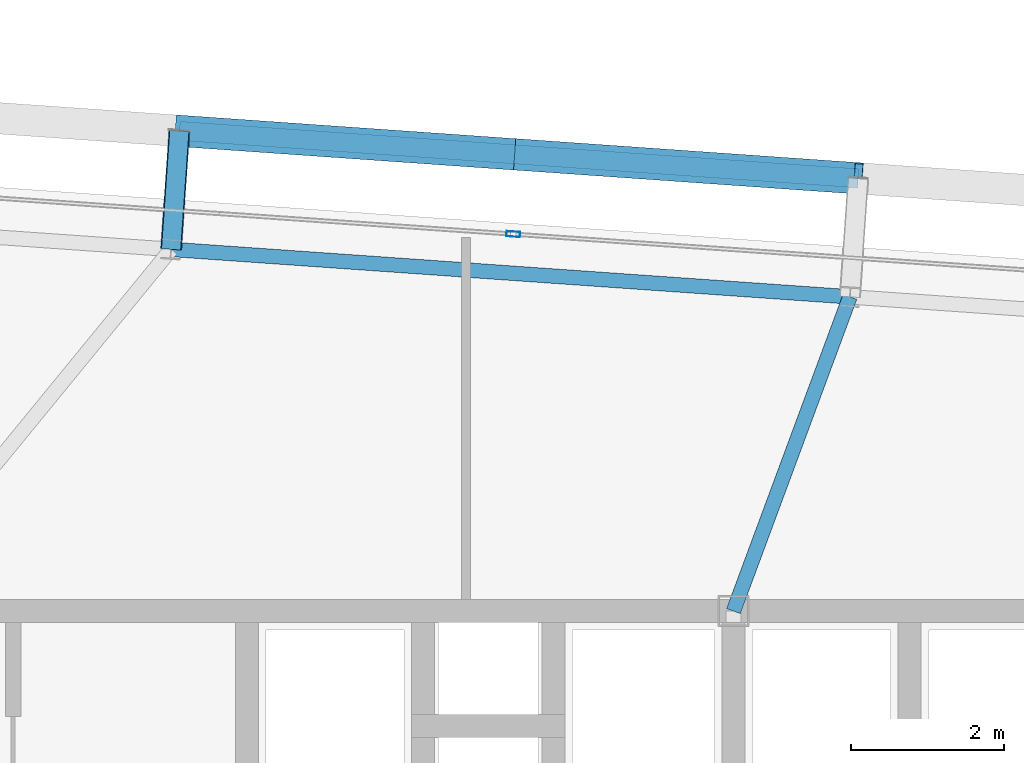
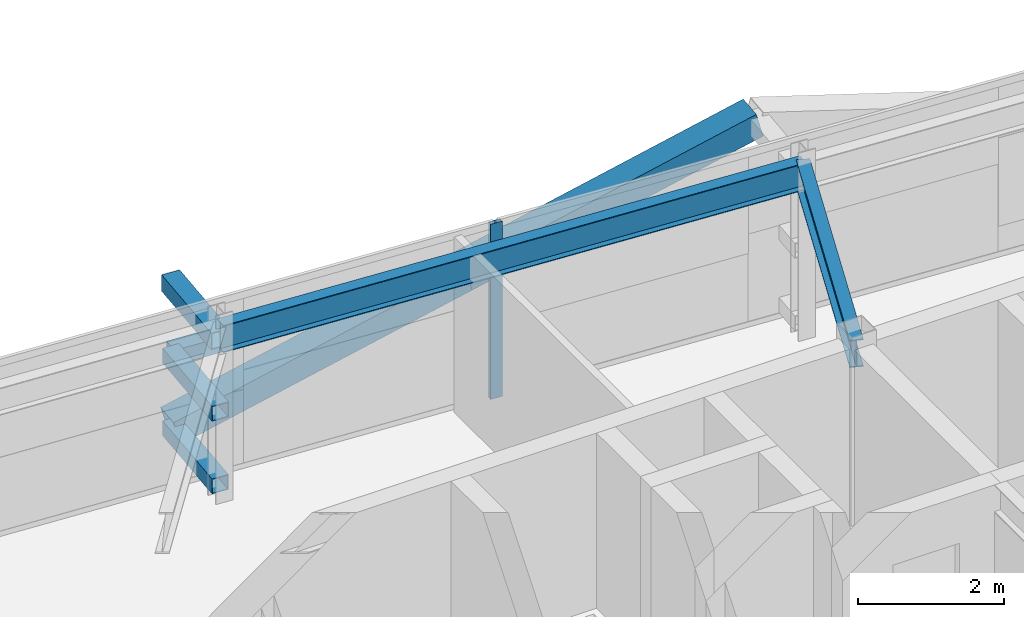
# One storey, part 22 of 39: 7 members, 2 beams, 1 element without a shape of its own.
"""IFC4 building model written with IfcOpenShell, lengths in metres."""

from ifc_helpers import new_model, si_unit, direction, frame, origin, origin_2d, place, context, subcontext, project, spatial, hollow_rectangle, i_section, extrude, source, transform, mapped, material, layer, layer_set, material_profile, profile_set, type_object, element, aggregate, save


model = new_model("IFC4")

# Units and contexts
model_context = context("Model", 3, precision=1e-05, world=origin(), true_north=direction((0.0, 1.0)))
body_context = subcontext(model_context, "Body", "Model", "MODEL_VIEW")
ifc_project = project(units=[si_unit("LENGTHUNIT", "METRE"), si_unit("AREAUNIT", "SQUARE_METRE"), si_unit("VOLUMEUNIT", "CUBIC_METRE"), si_unit("PLANEANGLEUNIT", "RADIAN"), si_unit("MASSUNIT", "GRAM", prefix="KILO")], contexts=[model_context])

# Site, building, storey
site_placement = place(None, origin())
site = spatial("IfcSite", under=ifc_project, at=site_placement, CompositionType="ELEMENT")
building_placement = place(site_placement, origin())
building = spatial("IfcBuilding", under=site, at=building_placement, Name="Taldren Reach Tower", CompositionType="ELEMENT")
storey_placement = place(building_placement, frame((0.0, 0.0, 120.39990234375)))
storey = spatial("IfcBuildingStorey", under=building, at=storey_placement, Name="L36", CompositionType="ELEMENT", Elevation=120.39990234375)

# Members
ifc_material_1 = material(Name="Steel Gr 450 (C450L0)", Category="steel")
ifc_material_profile_1 = material_profile(ifc_material_1, hollow_rectangle(XDim=0.27490234375, YDim=0.27490234375, WallThickness=0.00927734375, at=origin_2d()), Name="275x275x9.3SHS")
ifc_profile_set_1 = profile_set([ifc_material_profile_1], Name="Steel Gr 450 (C450L0)")
member_type_1 = type_object("IfcMemberType", Name="MB-TIE273", PredefinedType="STRUT", material=ifc_profile_set_1)
shared_shape_1 = source(origin(), body_context, "Body", "SweptSolid", [
    extrude(hollow_rectangle(XDim=0.27490234375, YDim=0.27490234375, WallThickness=0.00927734375, at=origin_2d()), origin(), (0.0, 0.0, 1.0), 1.5498046875),
])
member_1_placement = place(storey_placement, frame((31.861328125, 36.719970703125, 2.650146484375), z_axis=(0.069780535098, 0.997562367434, 0.0), x_axis=(-0.997562367434, 0.069780535098, 0.0)))
element("IfcMember", 1, at=member_1_placement, inside=storey, type_object=member_type_1, Name="Exoskeleton diaphragm tie strut B3-N3 L36", PredefinedType="STRUT", context=body_context, shape_type="MappedRepresentation", body=[
    mapped(shared_shape_1, transform((0.0, 0.0, 0.0), scale=1.0)),
])
ifc_material_2 = material(Name="Steel Gr 350 (C350L0)", Category="steel")
ifc_material_profile_2 = material_profile(ifc_material_2, hollow_rectangle(XDim=0.25, YDim=0.25, WallThickness=0.010009765625, at=origin_2d()), Name="250x250x10.0SHS")
ifc_profile_set_2 = profile_set([ifc_material_profile_2], Name="Steel Gr 350 (C350L0)")
member_type_2 = type_object("IfcMemberType", Name="MB-POST250", PredefinedType="POST", material=ifc_profile_set_2)
shared_shape_2 = source(origin(), body_context, "Body", "SweptSolid", [
    extrude(hollow_rectangle(XDim=0.25, YDim=0.25, WallThickness=0.010009765625, at=origin_2d()), origin(), (0.0, 0.0, 1.0), 1.5498046875),
])
for number, where, z_axis, x_axis, name in (
    (2, (31.861328125, 36.719970703125, 0.22021484375), (0.069780535098, 0.997562367434, 0.0), (-0.997562367434, 0.069780535098, 0.0), "Exoskeleton base diaphragm tie strut B3-N3 L36"),
    (3, (31.861328125, 36.719970703125, 1.43505859375), (0.069780535098, 0.997562367434, 0.0), (-0.997562367434, 0.069780535098, 0.0), "Exoskeleton mid-tier diaphragm tie B3-N3 L36"),
):
    element("IfcMember", number, at=place(storey_placement, frame(where, z_axis=z_axis, x_axis=x_axis)), inside=storey, type_object=member_type_2, Name=name, PredefinedType="POST", context=body_context, shape_type="MappedRepresentation", body=[
        mapped(shared_shape_2, transform((0.0, 0.0, 0.0), scale=1.0)),
    ])

# Beams
ifc_material_3 = material(Name="Steel Gr 350 (350PLUS)", Category="steel")
ifc_material_profile_3 = material_profile(ifc_material_3, i_section(OverallWidth=0.18994140625, OverallDepth=0.4541015625, WebThickness=0.008544921875, FlangeThickness=0.0126953125, at=origin_2d()), Name="460UB67.1")
ifc_profile_set_3 = profile_set([ifc_material_profile_3], Name="Steel Gr 350 (350PLUS)")
beam_type_1 = type_object("IfcBeamType", Name="SP-UB460B", PredefinedType="SPANDREL", material=ifc_profile_set_3)
shared_shape_3 = source(origin(), body_context, "Body", "SweptSolid", [
    extrude(i_section(OverallWidth=0.18994140625, OverallDepth=0.4541015625, WebThickness=0.008544921875, FlangeThickness=0.0126953125, at=origin_2d()), origin(), (0.0, 0.0, 1.0), 8.880126953125),
])
beam_1_placement = place(storey_placement, frame((40.7197265625, 36.100341796875, 2.703125), z_axis=(-0.997562566276, 0.06977769246, 0.0), x_axis=(-0.06977769246, -0.997562566276, 0.0)))
element("IfcBeam", 4, at=beam_1_placement, inside=storey, type_object=beam_type_1, Name="Perimeter spandrel B3 N4-N3 L36", PredefinedType="SPANDREL", context=body_context, shape_type="MappedRepresentation", body=[
    mapped(shared_shape_3, transform((0.0, 0.0, 0.0), scale=1.0)),
])
ifc_material_profile_4 = material_profile(ifc_material_3, i_section(OverallWidth=0.19091796875, OverallDepth=0.4599609375, WebThickness=0.010009765625, FlangeThickness=0.01611328125, at=origin_2d()), Name="460UB82.1")
ifc_profile_set_4 = profile_set([ifc_material_profile_4], Name="Steel Gr 350 (350PLUS)")
beam_type_2 = type_object("IfcBeamType", Name="BM-UB460A", PredefinedType="BEAM", material=ifc_profile_set_4)
shared_shape_4 = source(origin(), body_context, "Body", "SweptSolid", [
    extrude(i_section(OverallWidth=0.19091796875, OverallDepth=0.4599609375, WebThickness=0.010009765625, FlangeThickness=0.01611328125, at=origin_2d()), origin(), (0.0, 0.0, 1.0), 4.373046875),
])
beam_2_placement = place(storey_placement, frame((39.199951171875, 32.0, 2.7001953125), z_axis=(0.347541638975, 0.937664550454, 0.0), x_axis=(-0.937664550454, 0.347541638975, 0.0)))
element("IfcBeam", 5, at=beam_2_placement, inside=storey, type_object=beam_type_2, Name="Primary floor girder B3-N4 L36", PredefinedType="BEAM", context=body_context, shape_type="MappedRepresentation", body=[
    mapped(shared_shape_4, transform((0.0, 0.0, 0.0), scale=1.0)),
])

# Members
shared_shape_5 = source(origin(), body_context, "Body", "SweptSolid", [
    extrude(hollow_rectangle(XDim=0.25, YDim=0.25, WallThickness=0.010009765625, at=origin_2d()), origin(), (0.0, 0.0, 1.0), 8.880126953125),
])
member_2_placement = place(storey_placement, frame((31.969482421875, 38.26611328125, 1.43505859375), z_axis=(0.997564479639, -0.069750333063, 0.0), x_axis=(0.069750333063, 0.997564479639, 0.0)))
element("IfcMember", 6, at=member_2_placement, inside=storey, type_object=member_type_2, Name="Exoskeleton mid-height ring chord B3-N3 L36", PredefinedType="POST", context=body_context, shape_type="MappedRepresentation", body=[
    mapped(shared_shape_5, transform((0.0, 0.0, 0.0), scale=1.0)),
])
ifc_material_profile_5 = material_profile(ifc_material_1, hollow_rectangle(XDim=0.409912109375, YDim=0.409912109375, WallThickness=0.01611328125, at=origin_2d()), Name="410x410x16.0SHS")
ifc_profile_set_5 = profile_set([ifc_material_profile_5], Name="Steel Gr 450 (C450L0)")
member_type_3 = type_object("IfcMemberType", Name="MB-EXO406", PredefinedType="BRACE", material=ifc_profile_set_5)
shared_shape_6 = source(origin(), body_context, "Body", "SweptSolid", [
    extrude(hollow_rectangle(XDim=0.409912109375, YDim=0.409912109375, WallThickness=0.01611328125, at=origin_2d()), origin(), (0.0, 0.0, 1.0), 4.603271484375),
])
for number, where, z_axis, x_axis, name in (
    (7, (31.969482421875, 38.26611328125, 0.22021484375), (0.962195820062, -0.067303852699, 0.263911718699), (0.06977769246, 0.997562566276, 0.0), "Exoskeleton Diagrid Brace B3-N3 L36"),
    (8, (36.398681640625, 37.956298828125, 1.43505859375), (0.962185784239, -0.067250114343, 0.263962002434), (0.069722973508, 0.997566392259, 0.0), "Exoskeleton Diagrid Brace B3-N3 L36"),
):
    element("IfcMember", number, at=place(storey_placement, frame(where, z_axis=z_axis, x_axis=x_axis)), inside=storey, type_object=member_type_3, Name=name, PredefinedType="BRACE", context=body_context, shape_type="MappedRepresentation", body=[
        mapped(shared_shape_6, transform((0.0, 0.0, 0.0), scale=1.0)),
    ])

# Curtain wall, member
ifc_material_4 = material(Name="Aluminium and Low-E Glass Unitised System", Category="aluminium")
ifc_layer = layer(ifc_material_4, 0.159912109375)
ifc_layer_set = layer_set([ifc_layer], Name="Aluminium and Low-E Glass Unitised System")
curtain_wall_type = type_object("IfcCurtainWallType", Name="CW-SYS-4", PredefinedType="NOTDEFINED", material=ifc_layer_set)
curtain_wall_placement = place(storey_placement, origin())
curtain_wall = element("IfcCurtainWall", 9, at=curtain_wall_placement, inside=storey, type_object=curtain_wall_type, Name="Unitised curtain wall CW-L36-N", PredefinedType="NOTDEFINED")
ifc_material_5 = material(Name="Anodised Aluminium 6063-T6", Category="aluminium")
ifc_material_profile_6 = material_profile(ifc_material_5, hollow_rectangle(XDim=0.070068359375, YDim=0.179931640625, WallThickness=0.00390625, at=origin_2d()), Name="ALU-180x70x4RHS")
ifc_profile_set_6 = profile_set([ifc_material_profile_6], Name="Anodised Aluminium 6063-T6")
member_type_4 = type_object("IfcMemberType", Name="CW-MUL-180", PredefinedType="MULLION", material=ifc_profile_set_6)
shared_shape_7 = source(origin(), body_context, "Body", "SweptSolid", [
    extrude(hollow_rectangle(XDim=0.070068359375, YDim=0.179931640625, WallThickness=0.00390625, at=origin_2d()), origin(), (0.0, 0.0, 1.0), 2.93017578125),
])
member_3_placement = place(storey_placement, frame((36.326171875, 36.9189453125, 0.0), z_axis=(0.0, 0.0, 1.0), x_axis=(-0.06975651593, -0.99756404731, 0.0)))
member_3 = element("IfcMember", 10, at=member_3_placement, type_object=member_type_4, Name="CW-4 mullion 3", PredefinedType="MULLION", context=body_context, shape_type="MappedRepresentation", body=[
    mapped(shared_shape_7, transform((0.0, 0.0, 0.0), scale=1.0)),
])
aggregate(curtain_wall, [member_3])

save(model, "model.ifc")
